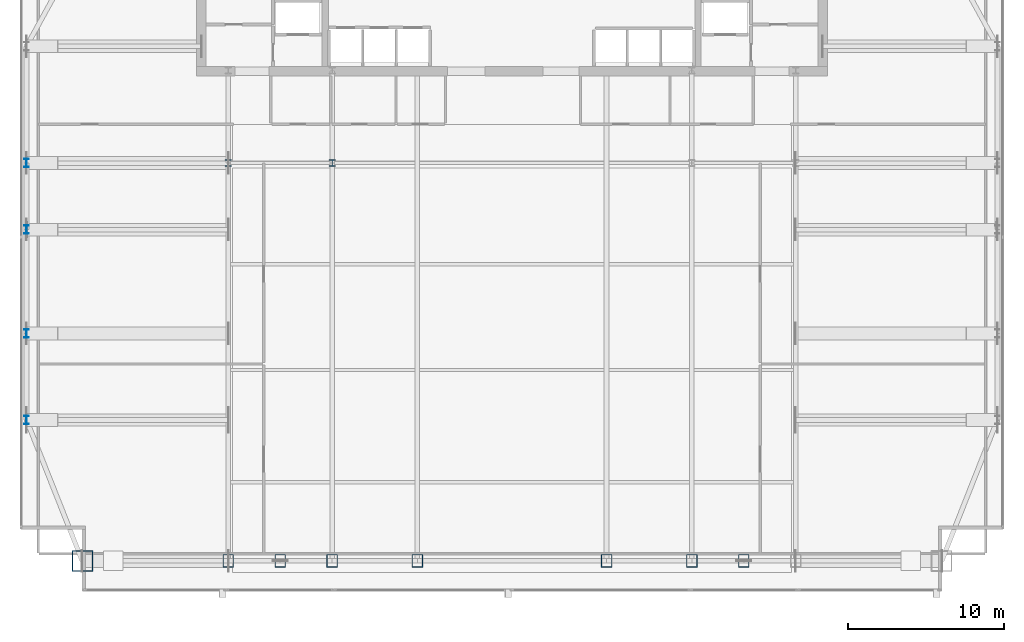
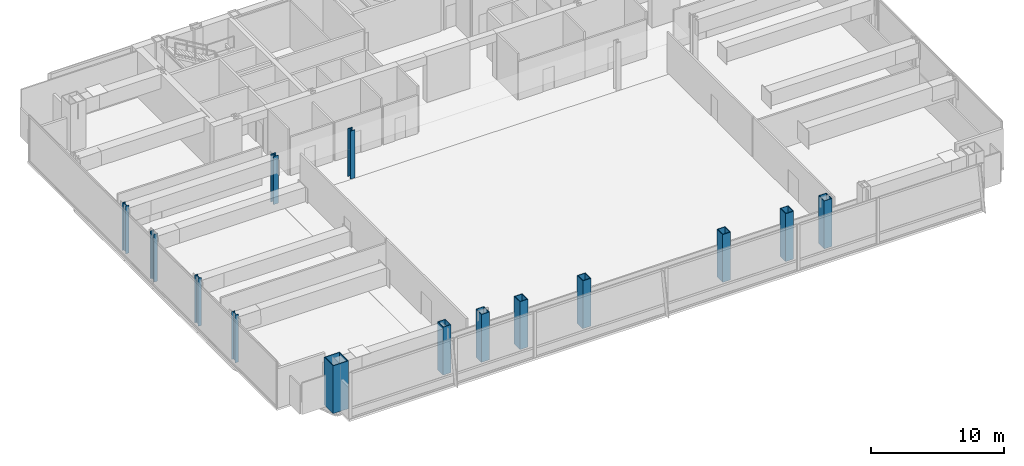
# One storey, part 1 of 25: 14 columns.
"""IFC4 building model written with IfcOpenShell, lengths in metres."""

from ifc_helpers import new_model, si_unit, direction, frame, origin, origin_2d, place, context, subcontext, project, spatial, hollow_rectangle, i_section, extrude, material, material_profile, profile_set, type_object, element, save


model = new_model("IFC4")

# Units and contexts
model_context = context("Model", 3, precision=1e-05, world=origin(), true_north=direction((0.0, 1.0)))
body_context = subcontext(model_context, "Body", "Model", "MODEL_VIEW")
ifc_project = project(units=[si_unit("LENGTHUNIT", "METRE"), si_unit("AREAUNIT", "SQUARE_METRE"), si_unit("VOLUMEUNIT", "CUBIC_METRE"), si_unit("PLANEANGLEUNIT", "RADIAN"), si_unit("MASSUNIT", "GRAM", prefix="KILO")], contexts=[model_context])

# Site, building, storey
site_placement = place(None, origin())
site = spatial("IfcSite", under=ifc_project, at=site_placement, CompositionType="ELEMENT")
building_placement = place(site_placement, origin())
building = spatial("IfcBuilding", under=site, at=building_placement, Name="Khoronbel Lancet Exchange", CompositionType="ELEMENT")
storey_placement = place(building_placement, frame((0.0, 0.0, 184.199951171875)))
storey = spatial("IfcBuildingStorey", under=building, at=storey_placement, Name="L46", CompositionType="ELEMENT", Elevation=184.199951171875)

# Columns
ifc_material_1 = material(Name="Steel S460", Category="steel")
ifc_material_profile_1 = material_profile(ifc_material_1, hollow_rectangle(XDim=0.699951171875, YDim=0.85009765625, WallThickness=0.050048828125, at=origin_2d()), Name="BOX 850x700x50")
ifc_profile_set_1 = profile_set([ifc_material_profile_1], Name="Steel S460")
column_type_1 = type_object("IfcColumnType", Name="COL-EC2", PredefinedType="COLUMN", material=ifc_profile_set_1)
for number, where, z_axis, x_axis, name in (
    (1, (18.22509765625, 10.14990234375, 0.0), (0.0, 0.0, 1.0), (1.0, 0.0, 0.0), "Structural column SC-W1 L46"),
    (2, (21.5625, 10.14990234375, 0.0), (0.0, 0.0, 1.0), (1.0, 0.0, 0.0), "Structural column SC-WM L46"),
    (3, (24.89990234375, 10.14990234375, 0.0), (0.0, 0.0, 1.0), (1.0, 0.0, 0.0), "Structural column SC-W2 L46"),
    (4, (30.375, 10.14990234375, 0.0), (0.0, 0.0, 1.0), (1.0, 0.0, 0.0), "Structural column SC-C1 L46"),
    (5, (42.52490234375, 10.14990234375, 0.0), (0.0, 0.0, 1.0), (1.0, 0.0, 0.0), "Structural column SC-C2 L46"),
    (6, (48.0, 10.14990234375, 0.0), (0.0, 0.0, 1.0), (1.0, 0.0, 0.0), "Structural column SC-E1 L46"),
    (7, (51.33740234375, 10.14990234375, 0.0), (0.0, 0.0, 1.0), (1.0, 0.0, 0.0), "Structural column SC-EM L46"),
):
    element("IfcColumn", number, at=place(storey_placement, frame(where, z_axis=z_axis, x_axis=x_axis)), inside=storey, type_object=column_type_1, Name=name, PredefinedType="COLUMN", context=body_context, shape_type="SweptSolid", body=[
        extrude(hollow_rectangle(XDim=0.699951171875, YDim=0.85009765625, WallThickness=0.050048828125, at=origin_2d()), origin(), (0.0, 0.0, 1.0), 4.400146484375),
    ])
ifc_material_profile_2 = material_profile(ifc_material_1, i_section(OverallWidth=0.416015625, OverallDepth=0.446044921875, WebThickness=0.0390625, FlangeThickness=0.062744140625, at=origin_2d()), Name="HD 400x509")
ifc_profile_set_2 = profile_set([ifc_material_profile_2], Name="Steel S460")
column_type_2 = type_object("IfcColumnType", Name="COL-IC2", PredefinedType="COLUMN", material=ifc_profile_set_2)
for number, where, z_axis, x_axis, name in (
    (8, (18.22509765625, 35.699951171875, 0.0), (0.0, 0.0, 1.0), (1.0, 0.0, 0.0), "Spine gravity column TC1 L46"),
    (9, (24.89990234375, 35.699951171875, 0.0), (0.0, 0.0, 1.0), (1.0, 0.0, 0.0), "Spine gravity column TC2 L46"),
):
    element("IfcColumn", number, at=place(storey_placement, frame(where, z_axis=z_axis, x_axis=x_axis)), inside=storey, type_object=column_type_2, Name=name, PredefinedType="COLUMN", context=body_context, shape_type="SweptSolid", body=[
        extrude(i_section(OverallWidth=0.416015625, OverallDepth=0.446044921875, WebThickness=0.0390625, FlangeThickness=0.062744140625, at=origin_2d()), origin(), (0.0, 0.0, 1.0), 4.400146484375),
    ])
ifc_material_2 = material(Name="Steel S355", Category="steel")
ifc_material_profile_3 = material_profile(ifc_material_2, i_section(OverallWidth=0.300048828125, OverallDepth=0.550048828125, WebThickness=0.014892578125, FlangeThickness=0.029052734375, at=origin_2d()), Name="HEB 550")
ifc_profile_set_3 = profile_set([ifc_material_profile_3], Name="Steel S355")
column_type_3 = type_object("IfcColumnType", Name="COL-LC1", PredefinedType="COLUMN", material=ifc_profile_set_3)
for number, where, z_axis, x_axis, name in (
    (10, (5.27001953125, 19.199951171875, 0.0), (0.0, 0.0, 1.0), (1.0, 0.0, 0.0), "Structural column WC-1 L46"),
    (11, (5.27001953125, 24.75, 0.0), (0.0, 0.0, 1.0), (1.0, 0.0, 0.0), "Structural column WC-2 L46"),
    (12, (5.27001953125, 31.425048828125, 0.0), (0.0, 0.0, 1.0), (1.0, 0.0, 0.0), "Structural column WC-M L46"),
    (13, (5.27001953125, 35.699951171875, 0.0), (0.0, 0.0, 1.0), (1.0, 0.0, 0.0), "Structural column WC-3 L46"),
):
    element("IfcColumn", number, at=place(storey_placement, frame(where, z_axis=z_axis, x_axis=x_axis)), inside=storey, type_object=column_type_3, Name=name, PredefinedType="COLUMN", context=body_context, shape_type="SweptSolid", body=[
        extrude(i_section(OverallWidth=0.300048828125, OverallDepth=0.550048828125, WebThickness=0.014892578125, FlangeThickness=0.029052734375, at=origin_2d()), origin(), (0.0, 0.0, 1.0), 4.400146484375),
    ])
ifc_material_profile_4 = material_profile(ifc_material_1, hollow_rectangle(XDim=1.35009765625, YDim=1.35009765625, WallThickness=0.06494140625, at=origin_2d()), Name="BOX 1350x1350x65")
ifc_profile_set_4 = profile_set([ifc_material_profile_4], Name="Steel S460")
column_type_4 = type_object("IfcColumnType", Name="COL-MC4", PredefinedType="COLUMN", material=ifc_profile_set_4)
column_placement = place(storey_placement, frame((8.85009765625, 10.14990234375, 0.0), z_axis=(0.0, 0.0, 1.0), x_axis=(1.0, 0.0, 0.0)))
element("IfcColumn", 14, at=column_placement, inside=storey, type_object=column_type_4, Name="Structural column MC-SW L46", PredefinedType="COLUMN", context=body_context, shape_type="SweptSolid", body=[
    extrude(hollow_rectangle(XDim=1.35009765625, YDim=1.35009765625, WallThickness=0.06494140625, at=origin_2d()), origin(), (0.0, 0.0, 1.0), 4.400146484375),
])

save(model, "model.ifc")
